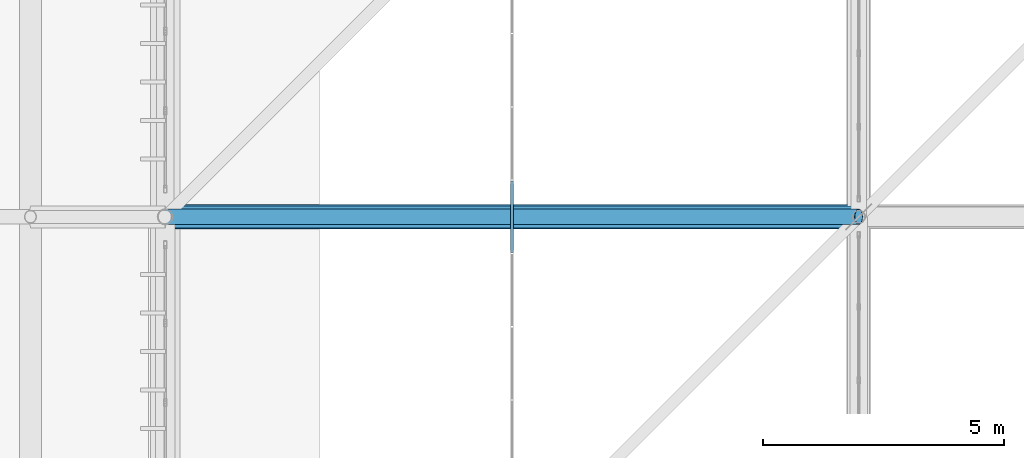
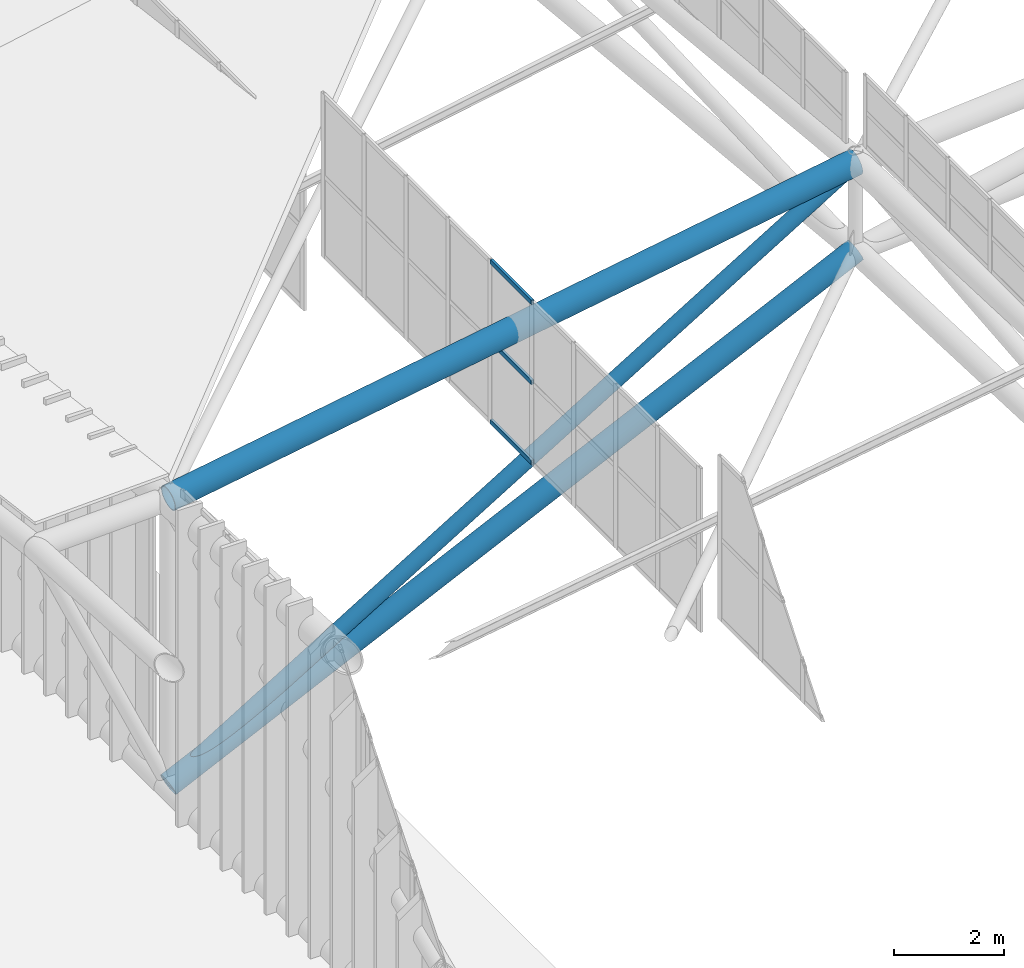
# One storey, part 197 of 397: 4 members, 2 beams, 1 element without a shape of its own.
"""IFC4 building model written with IfcOpenShell, lengths in metres."""

from ifc_helpers import new_model, si_unit, direction, frame, origin, origin_2d, place, context, subcontext, project, spatial, hollow_rectangle, hollow_circle, extrude, material, material_profile, profile_set, type_object, element, aggregate, save


model = new_model("IFC4")

# Units and contexts
model_context = context("Model", 3, precision=1e-05, world=origin(), true_north=direction((0.0, 1.0)))
body_context = subcontext(model_context, "Body", "Model", "MODEL_VIEW")
ifc_project = project(units=[si_unit("LENGTHUNIT", "METRE"), si_unit("AREAUNIT", "SQUARE_METRE"), si_unit("VOLUMEUNIT", "CUBIC_METRE"), si_unit("PLANEANGLEUNIT", "RADIAN"), si_unit("MASSUNIT", "GRAM", prefix="KILO")], contexts=[model_context])

# Site, building, storey
site_placement = place(None, origin())
site = spatial("IfcSite", under=ifc_project, at=site_placement, CompositionType="ELEMENT")
building_placement = place(site_placement, origin())
building = spatial("IfcBuilding", under=site, at=building_placement, Name="Qandorah Velis Arena", CompositionType="ELEMENT")
storey_placement = place(building_placement, frame((0.0, 0.0, 27.5)))
storey = spatial("IfcBuildingStorey", under=building, at=storey_placement, Name="RF", CompositionType="ELEMENT", Elevation=27.5)

# Curtain wall, members
ifc_material_1 = material(Name="Solar-control low-E double glazing", Category="glass")
curtain_wall_type = type_object("IfcCurtainWallType", Name="ARC-CW-SYS11", PredefinedType="USERDEFINED", material=ifc_material_1)
curtain_wall_placement = place(storey_placement, origin())
curtain_wall = element("IfcCurtainWall", 1, at=curtain_wall_placement, inside=storey, type_object=curtain_wall_type, Name="Unitised curtain wall MON-1-5", ObjectType="UNITISED CURTAIN WALL", PredefinedType="USERDEFINED")
ifc_material_2 = material(Name="Champagne-bronze anodized aluminium 6063-T6", Category="aluminium")
ifc_material_profile_1 = material_profile(ifc_material_2, hollow_rectangle(XDim=0.054931640625, YDim=0.10009765625, WallThickness=0.0029296875, at=origin_2d()), Name="ALU TRANSOM 55x100")
ifc_profile_set_1 = profile_set([ifc_material_profile_1], Name="Champagne-bronze anodized aluminium 6063-T6")
member_type_1 = type_object("IfcMemberType", Name="ARC-CWT-100", PredefinedType="USERDEFINED", material=ifc_profile_set_1)
member_1_placement = place(storey_placement, frame((21.60009765625, 85.654296875, 5.1767578125), z_axis=(0.0, 1.0, 0.0), x_axis=(-1.0, 0.0, 0.0)))
member_1 = element("IfcMember", 2, at=member_1_placement, type_object=member_type_1, Name="CW11 transom 5.1", ObjectType="TRANSOM", PredefinedType="USERDEFINED", context=body_context, shape_type="SweptSolid", body=[
    extrude(hollow_rectangle(XDim=0.054931640625, YDim=0.10009765625, WallThickness=0.0029296875, at=origin_2d()), origin(), (0.0, 0.0, 1.0), 1.4912109375),
])
member_2_placement = place(storey_placement, frame((21.60009765625, 85.654296875, 6.94921875), z_axis=(0.0, 1.0, 0.0), x_axis=(-1.0, 0.0, 0.0)))
member_2 = element("IfcMember", 3, at=member_2_placement, type_object=member_type_1, Name="CW11 transom 5.2", ObjectType="TRANSOM", PredefinedType="USERDEFINED", context=body_context, shape_type="SweptSolid", body=[
    extrude(hollow_rectangle(XDim=0.054931640625, YDim=0.10009765625, WallThickness=0.0029296875, at=origin_2d()), origin(), (0.0, 0.0, 1.0), 1.4912109375),
])
member_3_placement = place(storey_placement, frame((21.60009765625, 85.654296875, 8.7216796875), z_axis=(0.0, 1.0, 0.0), x_axis=(-1.0, 0.0, 0.0)))
member_3 = element("IfcMember", 4, at=member_3_placement, type_object=member_type_1, Name="CW11 transom 5.3", ObjectType="TRANSOM", PredefinedType="USERDEFINED", context=body_context, shape_type="SweptSolid", body=[
    extrude(hollow_rectangle(XDim=0.054931640625, YDim=0.10009765625, WallThickness=0.0029296875, at=origin_2d()), origin(), (0.0, 0.0, 1.0), 1.4912109375),
])
aggregate(curtain_wall, [member_1, member_2, member_3])

# Beams
ifc_material_3 = material(Name="Steel S355", Category="steel")
ifc_material_profile_2 = material_profile(ifc_material_3, hollow_circle(Radius=0.228515625, WallThickness=0.01611328125, at=origin_2d()), Name="CHS 457x16")
ifc_profile_set_2 = profile_set([ifc_material_profile_2], Name="Steel S355")
beam_type_1 = type_object("IfcBeamType", Name="STR-SFC-CHS457X16", PredefinedType="USERDEFINED", material=ifc_profile_set_2)
beam_1_placement = place(storey_placement, frame((14.39990234375, 86.39990234375, 0.10009765625), z_axis=(0.904065590353, 0.0, 0.427393739237), x_axis=(0.0, 1.0, 0.0)))
element("IfcBeam", 5, at=beam_1_placement, inside=storey, type_object=beam_type_1, Name="Space frame roof truss bottom chord X 0.5", ObjectType="ROOF TRUSS", PredefinedType="USERDEFINED", context=body_context, shape_type="SweptSolid", body=[
    extrude(hollow_circle(Radius=0.228515625, WallThickness=0.01611328125, at=origin_2d()), origin(), (0.0, 0.0, 1.0), 15.92822265625),
])
ifc_material_profile_3 = material_profile(ifc_material_3, hollow_circle(Radius=0.25390625, WallThickness=0.02001953125, at=origin_2d()), Name="CHS 508x20")
ifc_profile_set_3 = profile_set([ifc_material_profile_3], Name="Steel S355")
beam_type_2 = type_object("IfcBeamType", Name="STR-SFC-CHS508X20", PredefinedType="USERDEFINED", material=ifc_profile_set_3)
beam_2_placement = place(storey_placement, frame((14.39990234375, 86.39990234375, 6.448486328125), z_axis=(0.986292049543, 0.0, 0.165009069476), x_axis=(0.0, 1.0, 0.0)))
element("IfcBeam", 6, at=beam_2_placement, inside=storey, type_object=beam_type_2, Name="Space frame roof truss top chord X 0.5", ObjectType="ROOF TRUSS", PredefinedType="USERDEFINED", context=body_context, shape_type="SweptSolid", body=[
    extrude(hollow_circle(Radius=0.25390625, WallThickness=0.02001953125, at=origin_2d()), origin(), (0.0, 0.0, 1.0), 14.600341796875),
])

# Member
ifc_material_profile_4 = material_profile(ifc_material_3, hollow_circle(Radius=0.161865234375, WallThickness=0.012451171875, at=origin_2d()), Name="CHS 323.9x12.5")
ifc_profile_set_4 = profile_set([ifc_material_profile_4], Name="Steel S355")
member_type_2 = type_object("IfcMemberType", Name="STR-SFD-CHS323X12", PredefinedType="CHORD", material=ifc_profile_set_4)
member_4_placement = place(storey_placement, frame((14.39990234375, 86.39990234375, 0.10009765625), z_axis=(0.854402406795, 0.0, 0.519611900618), x_axis=(0.0, 1.0, 0.0)))
element("IfcMember", 7, at=member_4_placement, inside=storey, type_object=member_type_2, Name="Space frame roof diagonal X 0.5", PredefinedType="CHORD", context=body_context, shape_type="SweptSolid", body=[
    extrude(hollow_circle(Radius=0.161865234375, WallThickness=0.012451171875, at=origin_2d()), origin(), (0.0, 0.0, 1.0), 16.85400390625),
])

save(model, "model.ifc")
